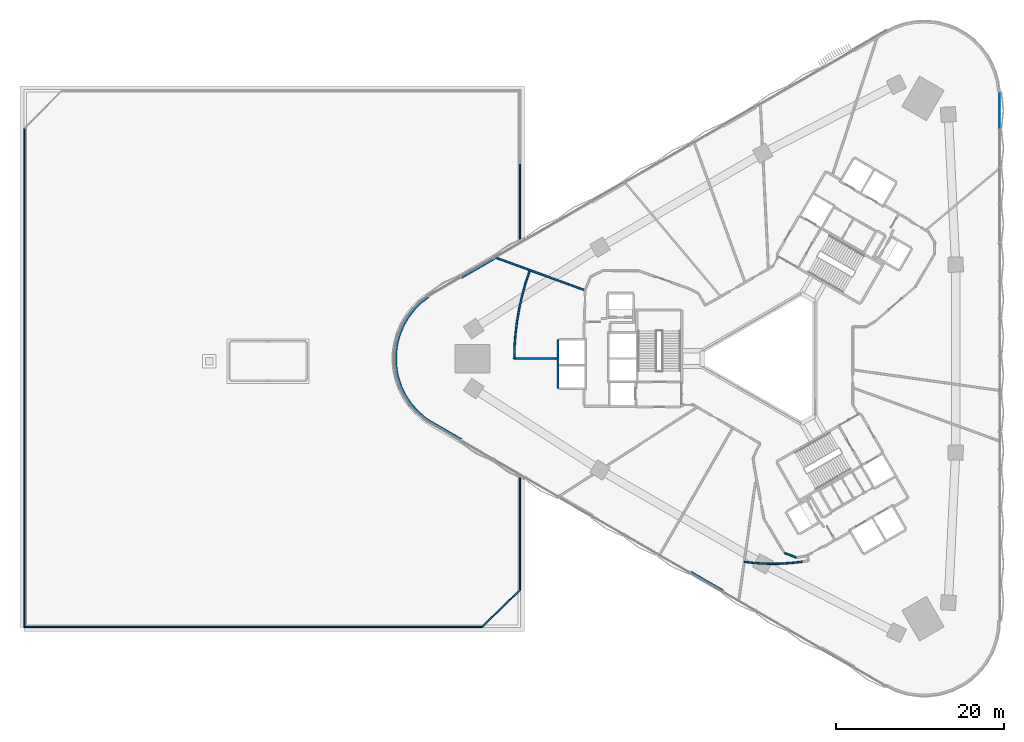
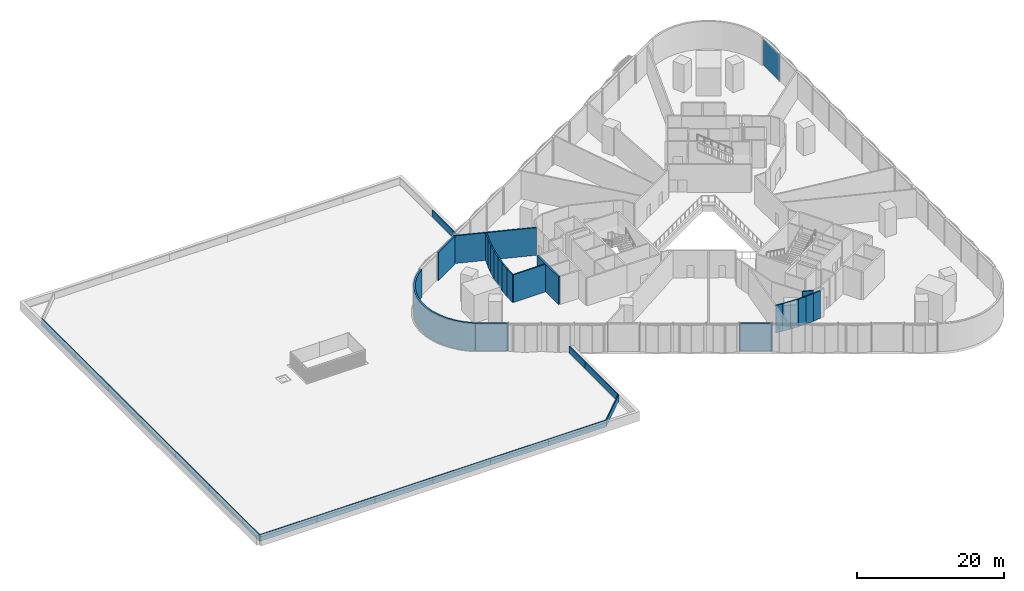
# One storey, part 6 of 14: 38 walls, 1 plate, 1 element without a shape of its own.
"""IFC4 building model written with IfcOpenShell, lengths in metres."""

import ifcopenshell
import ifcopenshell.guid

model = None  # the IFC model being written
_history = None  # IfcOwnerHistory: only IFC2X3 demands one
_inside = {}  # id of a spatial element -> (the spatial element, [elements in it])
_under = {}  # id of a project, library or spatial element -> (it, [spatial elements below it])
_declared = {}  # id of a project -> (the project, [libraries it declares])
_typed = {}  # id of a type object -> (the type object, [elements of that type])
_made_of = {}  # id of a material, layer set ... -> (it, [elements and type objects made of it])


def new_model(schema):
    """Start an empty IFC model of exactly this schema.

    Asked for "IFC4X3", IfcOpenShell would pick the latest addendum, in which some entities
    have other attributes; the version numbers below select the first issue.
    IFC2X3 requires an IfcOwnerHistory on every rooted entity: one is made here for all.
    """
    global model, _history
    if schema == "IFC4X3":
        model = ifcopenshell.file(schema_version=(4, 3, 0, 0))
    else:
        model = ifcopenshell.file(schema=schema)
    _inside.clear()
    _under.clear()
    _declared.clear()
    _typed.clear()
    _made_of.clear()
    _history = None
    if model.schema == "IFC2X3":
        org = make("IfcOrganization", Name="unknown")
        user = make(
            "IfcPersonAndOrganization",
            ThePerson=make("IfcPerson", FamilyName="unknown"),
            TheOrganization=org,
        )
        app = make(
            "IfcApplication",
            ApplicationDeveloper=org,
            Version="unknown",
            ApplicationFullName="unknown",
            ApplicationIdentifier="unknown",
        )
        _history = make(
            "IfcOwnerHistory",
            OwningUser=user,
            OwningApplication=app,
            ChangeAction="ADDED",
            CreationDate=0,
        )
    return model


def make(cls, **values):
    """One entity of the class cls with the attributes given. An attribute that is None is left unset."""
    return model.create_entity(
        cls, **{name: value for name, value in values.items() if value is not None}
    )


def rooted(cls, **values):
    """An entity with a GlobalId (a new one), such as an element, a storey or a relation."""
    return make(cls, GlobalId=ifcopenshell.guid.new(), OwnerHistory=_history, **values)


def si_unit(unit_type, name, prefix=None):
    """IfcSIUnit, for example si_unit("LENGTHUNIT", "METRE", prefix="MILLI")."""
    return make("IfcSIUnit", UnitType=unit_type, Prefix=prefix, Name=name)


def assignment(units):
    """IfcUnitAssignment: the units of a project."""
    return None if units is None else make("IfcUnitAssignment", Units=units)


def point(xyz):
    """IfcCartesianPoint."""
    return None if xyz is None else make("IfcCartesianPoint", Coordinates=xyz)


def direction(xyz):
    """IfcDirection."""
    return None if xyz is None else make("IfcDirection", DirectionRatios=xyz)


def frame(location, z_axis=None, x_axis=None):
    """IfcAxis2Placement3D, a coordinate frame: its origin and axes. An axis left out is left unset."""
    return make(
        "IfcAxis2Placement3D",
        Location=point(location),
        Axis=direction(z_axis),
        RefDirection=direction(x_axis),
    )


def frame_2d(location, x_axis=None):
    """IfcAxis2Placement2D, a coordinate frame in the plane: its origin and x axis."""
    return make(
        "IfcAxis2Placement2D", Location=point(location), RefDirection=direction(x_axis)
    )


def origin():
    """The frame at (0, 0, 0) with its axes left unset."""
    return frame((0.0, 0.0, 0.0))


def origin_2d():
    """The frame at (0, 0) in the plane with its x axis left unset."""
    return frame_2d((0.0, 0.0))


def place(relative_to, where):
    """IfcLocalPlacement: puts the frame where relative to a parent placement (None: the world)."""
    return make(
        "IfcLocalPlacement", PlacementRelTo=relative_to, RelativePlacement=where
    )


def context(
    kind, dimensions, precision=None, world=None, true_north=None, identifier=None
):
    """IfcGeometricRepresentationContext, for example the 3D "Model" context."""
    return make(
        "IfcGeometricRepresentationContext",
        ContextIdentifier=identifier,
        ContextType=kind,
        CoordinateSpaceDimension=dimensions,
        Precision=precision,
        WorldCoordinateSystem=world,
        TrueNorth=true_north,
    )


def subcontext(parent, identifier, kind, view, scale=None):
    """IfcGeometricRepresentationSubContext, for example "Body" below "Model"."""
    return make(
        "IfcGeometricRepresentationSubContext",
        ContextIdentifier=identifier,
        ContextType=kind,
        ParentContext=parent,
        TargetScale=scale,
        TargetView=view,
    )


def project(units=None, contexts=None):
    """IfcProject with its units and contexts."""
    return rooted(
        "IfcProject",
        Name="project",
        RepresentationContexts=contexts,
        UnitsInContext=assignment(units),
    )


def spatial(cls, under=None, at=None, **own):
    """A site, building, storey or space (cls), placed at a placement, below another one or the project."""
    s = rooted(cls, ObjectPlacement=at, **own)
    if under is not None:
        _under.setdefault(under.id(), (under, []))[1].append(s)
    return s


def polyline(points):
    """IfcPolyline through the points."""
    return make("IfcPolyline", Points=[point(p) for p in points])


def profile(cls, at=None, kind="AREA", **sizes):
    """A parametric profile (cls). Its sizes go by their IFC names, for example OverallWidth=200.0."""
    return make(cls, ProfileType=kind, Position=at, **sizes)


def rectangle(**sizes):
    """IfcRectangleProfileDef."""
    return profile("IfcRectangleProfileDef", **sizes)


def outline(outer, holes=None, kind="AREA"):
    """IfcArbitraryClosedProfileDef: a profile drawn as a closed curve; with holes, ...WithVoids."""
    if holes is None:
        return make("IfcArbitraryClosedProfileDef", ProfileType=kind, OuterCurve=outer)
    return make(
        "IfcArbitraryProfileDefWithVoids",
        ProfileType=kind,
        OuterCurve=outer,
        InnerCurves=holes,
    )


def extrude(swept, where, along, depth):
    """IfcExtrudedAreaSolid: the profile swept, set in the frame where, extruded along a direction by depth."""
    return make(
        "IfcExtrudedAreaSolid",
        SweptArea=swept,
        Position=where,
        ExtrudedDirection=direction(along),
        Depth=depth,
    )


def shape(context_of_items, identifier, shape_type, items):
    """IfcShapeRepresentation: the items that make up one representation, for example the "Body"."""
    return make(
        "IfcShapeRepresentation",
        ContextOfItems=context_of_items,
        RepresentationIdentifier=identifier,
        RepresentationType=shape_type,
        Items=items,
    )


def material(Name=None, Category=None):
    """IfcMaterial."""
    return make("IfcMaterial", Name=Name, Category=Category)


def layer(
    of_material, thickness, ventilated=None, Name=None, Category=None, Priority=None
):
    """IfcMaterialLayer: one layer of a wall or slab, of a material (None: an air gap)."""
    return make(
        "IfcMaterialLayer",
        Material=of_material,
        LayerThickness=thickness,
        IsVentilated=ventilated,
        Name=Name,
        Category=Category,
        Priority=Priority,
    )


def layer_set(layers, Name=None):
    """IfcMaterialLayerSet."""
    return make("IfcMaterialLayerSet", MaterialLayers=layers, LayerSetName=Name)


def made_of(thing, what):
    """Note that an element or type object is made of a material, layer set ...; save() writes the relation."""
    if what is not None:
        _made_of.setdefault(what.id(), (what, []))[1].append(thing)
    return thing


def type_object(cls, material=None, **own):
    """A type object (cls), such as IfcWallType, which elements share."""
    return made_of(rooted(cls, **own), material)


def element(
    cls,
    number,
    at=None,
    inside=None,
    cuts=None,
    type_object=None,
    material=None,
    context=None,
    identifier="Body",
    shape_type=None,
    held_by="IfcProductDefinitionShape",
    body=None,
    shapes=None,
    **own,
):
    """One element of the class cls, such as IfcWall. Its Tag is "e" and its number.

    at: its placement. inside: the storey or other place that contains it. cuts: it is an
    opening in that element (IfcRelVoidsElement). A single representation is given by context,
    identifier, shape_type and body (its items); several are given by shapes. held_by: the class
    of the entity that holds the representations. save() writes the other relations.
    """
    e = rooted(cls, Tag="e%d" % number, ObjectPlacement=at, **own)
    if body is not None:
        shapes = [shape(context, identifier, shape_type, body)]
    if shapes is not None:
        e.Representation = make(held_by, Representations=shapes)
    if inside is not None:
        _inside.setdefault(inside.id(), (inside, []))[1].append(e)
    if cuts is not None:
        rooted(
            "IfcRelVoidsElement", RelatingBuildingElement=cuts, RelatedOpeningElement=e
        )
    if type_object is not None:
        _typed.setdefault(type_object.id(), (type_object, []))[1].append(e)
    return made_of(e, material)


def aggregate(whole, parts):
    """IfcRelAggregates: a whole, such as a stair, and the parts it consists of."""
    return rooted("IfcRelAggregates", RelatingObject=whole, RelatedObjects=parts)


def save(model, path):
    """Write the relations noted so far, then the file.

    IfcRelAggregates (storeys below a building ...), IfcRelContainedInSpatialStructure (elements
    in a storey), IfcRelDefinesByType, IfcRelAssociatesMaterial and IfcRelDeclares: one each for
    every whole, place, type object, material and project.
    """
    for whole, parts in _under.values():
        aggregate(whole, parts)
    for where, things in _inside.values():
        rooted(
            "IfcRelContainedInSpatialStructure",
            RelatedElements=things,
            RelatingStructure=where,
        )
    for kind, things in _typed.values():
        rooted("IfcRelDefinesByType", RelatedObjects=things, RelatingType=kind)
    for what, things in _made_of.values():
        rooted("IfcRelAssociatesMaterial", RelatedObjects=things, RelatingMaterial=what)
    for by, libraries in _declared.values():
        rooted("IfcRelDeclares", RelatingContext=by, RelatedDefinitions=libraries)
    model.write(path)


model = new_model("IFC4")

# Units and contexts
model_context = context("Model", 3, precision=1e-05, world=origin(), true_north=direction((0.0, 1.0)))
body_context = subcontext(model_context, "Body", "Model", "MODEL_VIEW")
ifc_project = project(units=[si_unit("LENGTHUNIT", "METRE"), si_unit("AREAUNIT", "SQUARE_METRE"), si_unit("VOLUMEUNIT", "CUBIC_METRE"), si_unit("PLANEANGLEUNIT", "RADIAN"), si_unit("MASSUNIT", "GRAM", prefix="KILO")], contexts=[model_context])

# Site, building, storey
site_placement = place(None, origin())
site = spatial("IfcSite", under=ifc_project, at=site_placement, CompositionType="ELEMENT")
building_placement = place(site_placement, origin())
building = spatial("IfcBuilding", under=site, at=building_placement, Name="Tamra Quay Hotel Tower", CompositionType="ELEMENT")
storey_placement = place(building_placement, frame((0.0, 0.0, 24.5)))
storey = spatial("IfcBuildingStorey", under=building, at=storey_placement, Name="L04", CompositionType="ELEMENT", Elevation=24.5)

# Curtain wall, plate
ifc_material_1 = material(Name="Aluminium 6063 anodised dark grey", Category="aluminium")
curtain_wall_type = type_object("IfcCurtainWallType", Name="CW4 CURTAIN WALL", PredefinedType="NOTDEFINED", material=ifc_material_1)
curtain_wall_placement = place(storey_placement, origin())
curtain_wall = element("IfcCurtainWall", 1, at=curtain_wall_placement, inside=storey, type_object=curtain_wall_type, Name="CW4 east face L04", PredefinedType="NOTDEFINED")
ifc_material_2 = material(Name="Glass clear laminated low-iron", Category="glass")
ifc_layer_1 = layer(ifc_material_2, 0.0400390625)
ifc_layer_set_1 = layer_set([ifc_layer_1], Name="GLASS PANEL CW4")
plate_type = type_object("IfcPlateType", Name="GLASS PANEL CW4", PredefinedType="CURTAIN_PANEL", material=ifc_layer_set_1)
plate_placement = place(storey_placement, frame((26.9814453125, 29.517578125, 0.0), z_axis=(0.0, 0.0, 1.0), x_axis=(-0.000306147728, 0.999999953137, 0.0)))
plate = element("IfcPlate", 2, at=plate_placement, type_object=plate_type, Name="CW4 glass L04.E.14", PredefinedType="CURTAIN_PANEL", context=body_context, shape_type="SweptSolid", body=[
    extrude(rectangle(XDim=4.3759765625, YDim=0.0400390625, at=origin_2d()), origin(), (0.0, 0.0, 1.0), 4.419921875),
])
aggregate(curtain_wall, [plate])

# Walls
ifc_material_3 = material(Name="Concrete M70", Category="concrete")
ifc_layer_2 = layer(ifc_material_3, 0.25)
ifc_layer_set_2 = layer_set([ifc_layer_2], Name="Concrete M70 core wall 250")
wall_type_1 = type_object("IfcWallType", Name="Concrete M70 core wall 250", PredefinedType="SHEAR", material=ifc_layer_set_2)
wall_1_placement = place(storey_placement, frame((-25.537353515625, -3.574951171875, 0.0), z_axis=(0.0, 0.0, 1.0), x_axis=(0.0, 1.0, 0.0)))
element("IfcWall", 3, at=wall_1_placement, inside=storey, type_object=wall_type_1, Name="CW1", PredefinedType="SHEAR", context=body_context, shape_type="SweptSolid", body=[
    extrude(rectangle(XDim=5.849853515625, YDim=0.25, at=frame_2d((2.9248046875, 0.0))), origin(), (0.0, 0.0, 1.0), 4.60009765625),
])
ifc_material_4 = material(Name="Blockwork masonry plastered", Category="masonry")
ifc_layer_3 = layer(ifc_material_4, 0.25)
ifc_layer_set_3 = layer_set([ifc_layer_3], Name="EXTERNAL WALL 250")
wall_type_2 = type_object("IfcWallType", Name="EXTERNAL WALL 250", PredefinedType="SOLIDWALL", material=ifc_layer_set_3)
wall_2_placement = place(storey_placement, frame((-37.044677734375, 9.6240234375, 0.0), z_axis=(0.0, 0.0, 1.0), x_axis=(0.865857232313, 0.500291168473, 0.0)))
element("IfcWall", 4, at=wall_2_placement, inside=storey, type_object=wall_type_2, Name="EW1", PredefinedType="SOLIDWALL", context=body_context, shape_type="SweptSolid", body=[
    extrude(rectangle(XDim=4.495849609375, YDim=0.25, at=frame_2d((2.248046875, 0.0))), origin(), (0.0, 0.0, 1.0), 4.60009765625),
])
wall_3_placement = place(storey_placement, origin())
element("IfcWall", 5, at=wall_3_placement, inside=storey, type_object=wall_type_2, Name="EW1", PredefinedType="SOLIDWALL", context=body_context, shape_type="SweptSolid", body=[
    extrude(outline(polyline([(-41.000244140625, 7.483154296875), (-41.93408203125, 6.7666015625), (-42.7666015625, 5.93408203125), (-43.483154296875, 5.000244140625), (-44.07177734375, 3.980712890625), (-44.5224609375, 2.89306640625), (-44.8271484375, 1.755859375), (-44.980712890625, 0.588623046875), (-44.980712890625, -0.588623046875), (-44.8271484375, -1.755859375), (-44.693359375, -2.329345703125), (-44.31494140625, -3.444091796875), (-43.794189453125, -4.5), (-43.14013671875, -5.478759765625), (-42.364013671875, -6.364013671875), (-41.478759765625, -7.14013671875), (-41.000244140625, -7.483154296875), (-40.8544921875, -7.280029296875), (-41.3232421875, -6.944091796875), (-42.186767578125, -6.186767578125), (-42.94140625, -5.326416015625), (-43.5771484375, -4.374755859375), (-44.08349609375, -3.348388671875), (-44.45263671875, -2.2607421875), (-44.580810546875, -1.7109375), (-44.730712890625, -0.572265625), (-44.730712890625, 0.572265625), (-44.581298828125, 1.70703125), (-44.28515625, 2.8125), (-43.84716796875, 3.869873046875), (-43.27490234375, 4.86083984375), (-42.578125, 5.76904296875), (-41.76904296875, 6.578125), (-40.847900390625, 7.284912109375), (-41.000244140625, 7.483154296875)])), origin(), (0.0, 0.0, 1.0), 4.60009765625),
])
for number, where, z_axis, x_axis, name in (
    (6, (-37.044677734375, -9.6240234375, 0.0), (0.0, 0.0, 1.0), (-0.865880754896, 0.500250455572, 0.0), "EW1"),
    (7, (-5.90185546875, -27.6171875, 0.0), (0.0, 0.0, 1.0), (-0.865880754896, 0.500250455572, 0.0), "EW1"),
):
    element("IfcWall", number, at=place(storey_placement, frame(where, z_axis=z_axis, x_axis=x_axis)), inside=storey, type_object=wall_type_2, Name=name, PredefinedType="SOLIDWALL", context=body_context, shape_type="SweptSolid", body=[
        extrude(rectangle(XDim=4.495849609375, YDim=0.25, at=frame_2d((2.248046875, 0.0))), origin(), (0.0, 0.0, 1.0), 4.60009765625),
    ])
ifc_material_5 = material(Name="Reinforced concrete M60 with render", Category="concrete")
ifc_layer_4 = layer(ifc_material_5, 0.14990234375)
ifc_layer_set_4 = layer_set([ifc_layer_4], Name="PARAPET WALL 150")
wall_type_3 = type_object("IfcWallType", Name="PARAPET WALL 150", PredefinedType="PARAPET", material=ifc_layer_set_4)
wall_4_placement = place(storey_placement, frame((-80.0078125, -31.925048828125, 0.0), z_axis=(0.0, 0.0, 1.0), x_axis=(-1.0, 0.0, 0.0)))
element("IfcWall", 8, at=wall_4_placement, inside=storey, type_object=wall_type_3, Name="PW0", PredefinedType="PARAPET", context=body_context, shape_type="SweptSolid", body=[
    extrude(rectangle(XDim=9.09228515625, YDim=0.14990234375, at=frame_2d((4.546142578125, 0.0))), origin(), (0.0, 0.0, 1.0), 1.10009765625),
])
wall_5_placement = place(storey_placement, frame((-70.915283203125, -31.925048828125, 0.0), z_axis=(0.0, 0.0, 1.0), x_axis=(-1.0, 0.0, 0.0)))
element("IfcWall", 9, at=wall_5_placement, inside=storey, type_object=wall_type_3, Name="PW0", PredefinedType="PARAPET", context=body_context, shape_type="SweptSolid", body=[
    extrude(rectangle(XDim=9.092529296875, YDim=0.14990234375, at=frame_2d((4.54638671875, 0.0))), origin(), (0.0, 0.0, 1.0), 1.10009765625),
])
for number, where, z_axis, x_axis, name in (
    (10, (-61.822998046875, -31.925048828125, 0.0), (0.0, 0.0, 1.0), (-1.0, 0.0, 0.0), "PW0"),
    (11, (-52.730712890625, -31.925048828125, 0.0), (0.0, 0.0, 1.0), (-1.0, 0.0, 0.0), "PW0"),
    (12, (-43.638427734375, -31.925048828125, 0.0), (0.0, 0.0, 1.0), (-1.0, 0.0, 0.0), "PW0"),
    (13, (-34.546142578125, -31.925048828125, 0.0), (0.0, 0.0, 1.0), (-1.0, 0.0, 0.0), "PW0"),
):
    element("IfcWall", number, at=place(storey_placement, frame(where, z_axis=z_axis, x_axis=x_axis)), inside=storey, type_object=wall_type_3, Name=name, PredefinedType="PARAPET", context=body_context, shape_type="SweptSolid", body=[
        extrude(rectangle(XDim=9.09228515625, YDim=0.14990234375, at=frame_2d((4.546142578125, 0.0))), origin(), (0.0, 0.0, 1.0), 1.10009765625),
    ])
wall_6_placement = place(storey_placement, frame((-30.052490234375, -27.4970703125, 0.0), z_axis=(0.0, 0.0, 1.0), x_axis=(-0.714684277773, -0.699447198224, 0.0)))
element("IfcWall", 14, at=wall_6_placement, inside=storey, type_object=wall_type_3, Name="PW0", PredefinedType="PARAPET", context=body_context, shape_type="SweptSolid", body=[
    extrude(rectangle(XDim=6.361083984375, YDim=0.14990234375, at=frame_2d((3.1806640625, 0.0))), origin(), (0.0, 0.0, 1.0), 1.10009765625),
])
wall_7_placement = place(storey_placement, frame((-30.074951171875, -18.652099609375, 0.0), z_axis=(0.0, 0.0, 1.0), x_axis=(0.0, -1.0, 0.0)))
element("IfcWall", 15, at=wall_7_placement, inside=storey, type_object=wall_type_3, Name="PW0", PredefinedType="PARAPET", context=body_context, shape_type="SweptSolid", body=[
    extrude(rectangle(XDim=8.898681640625, YDim=0.14990234375, at=frame_2d((4.44921875, 0.0))), origin(), (0.0, 0.0, 1.0), 1.10009765625),
])
wall_8_placement = place(storey_placement, frame((-30.074951171875, -14.202880859375, 0.0), z_axis=(0.0, 0.0, 1.0), x_axis=(0.0, -1.0, 0.0)))
element("IfcWall", 16, at=wall_8_placement, inside=storey, type_object=wall_type_3, Name="PW0", PredefinedType="PARAPET", context=body_context, shape_type="SweptSolid", body=[
    extrude(rectangle(XDim=4.44921875, YDim=0.14990234375, at=frame_2d((2.224609375, 0.0))), origin(), (0.0, 0.0, 1.0), 1.10009765625),
])
wall_9_placement = place(storey_placement, frame((-30.074951171875, 23.101318359375, 0.0), z_axis=(0.0, 0.0, 1.0), x_axis=(0.0, -1.0, 0.0)))
element("IfcWall", 17, at=wall_9_placement, inside=storey, type_object=wall_type_3, Name="PW0", PredefinedType="PARAPET", context=body_context, shape_type="SweptSolid", body=[
    extrude(rectangle(XDim=8.8984375, YDim=0.14990234375, at=frame_2d((4.44921875, 0.0))), origin(), (0.0, 0.0, 1.0), 1.10009765625),
])
for number, where, z_axis, x_axis, name in (
    (18, (-89.02490234375, 18.28564453125, 0.0), (0.0, 0.0, 1.0), (0.0, 1.0, 0.0), "PW0"),
    (19, (-89.02490234375, 9.142822265625, 0.0), (0.0, 0.0, 1.0), (0.0, 1.0, 0.0), "PW0"),
    (20, (-89.02490234375, 0.0, 0.0), (0.0, 0.0, 1.0), (0.0, 1.0, 0.0), "PW0"),
    (21, (-89.02490234375, -9.142822265625, 0.0), (0.0, 0.0, 1.0), (0.0, 1.0, 0.0), "PW0"),
    (22, (-89.02490234375, -18.28564453125, 0.0), (0.0, 0.0, 1.0), (0.0, 1.0, 0.0), "PW0"),
    (23, (-89.02490234375, -27.428466796875, 0.0), (0.0, 0.0, 1.0), (0.0, 1.0, 0.0), "PW0"),
):
    element("IfcWall", number, at=place(storey_placement, frame(where, z_axis=z_axis, x_axis=x_axis)), inside=storey, type_object=wall_type_3, Name=name, PredefinedType="PARAPET", context=body_context, shape_type="SweptSolid", body=[
        extrude(rectangle(XDim=9.142822265625, YDim=0.14990234375, at=frame_2d((4.5712890625, 0.0))), origin(), (0.0, 0.0, 1.0), 1.10009765625),
    ])
wall_10_placement = place(storey_placement, frame((-89.02490234375, -32.0, 0.0), z_axis=(0.0, 0.0, 1.0), x_axis=(0.0, 1.0, 0.0)))
element("IfcWall", 24, at=wall_10_placement, inside=storey, type_object=wall_type_3, Name="PW0", PredefinedType="PARAPET", context=body_context, shape_type="SweptSolid", body=[
    extrude(rectangle(XDim=4.571533203125, YDim=0.14990234375, at=frame_2d((2.28564453125, 0.0))), origin(), (0.0, 0.0, 1.0), 1.10009765625),
])
ifc_material_6 = material(Name="Partition corridor wall")
ifc_layer_5 = layer(ifc_material_6, 0.199951171875)
ifc_layer_set_5 = layer_set([ifc_layer_5], Name="Partition corridor wall")
wall_type_4 = type_object("IfcWallType", Name="Partition corridor wall", PredefinedType="PARTITIONING", material=ifc_layer_set_5)
wall_11_placement = place(storey_placement, frame((1.388916015625, -23.131103515625, 0.0), z_axis=(0.0, 0.0, 1.0), x_axis=(0.935814533732, -0.352492777879, 0.0)))
element("IfcWall", 25, at=wall_11_placement, inside=storey, type_object=wall_type_4, Name="W-C", PredefinedType="PARTITIONING", context=body_context, shape_type="SweptSolid", body=[
    extrude(rectangle(XDim=1.543212890625, YDim=0.199951171875, at=frame_2d((0.771484375, 0.0))), origin(), (0.0, 0.0, 1.0), 4.60009765625),
])
ifc_material_7 = material(Name="Partition party wall")
ifc_layer_6 = layer(ifc_material_7, 0.199951171875)
ifc_layer_set_6 = layer_set([ifc_layer_6], Name="Partition party wall")
wall_type_5 = type_object("IfcWallType", Name="Partition party wall", PredefinedType="PARTITIONING", material=ifc_layer_set_6)
wall_12_placement = place(storey_placement, frame((-33.115478515625, 12.05322265625, 0.0), z_axis=(0.0, 0.0, 1.0), x_axis=(0.939687761804, -0.342033492974, 0.0)))
element("IfcWall", 26, at=wall_12_placement, inside=storey, type_object=wall_type_5, Name="W-P", PredefinedType="PARTITIONING", context=body_context, shape_type="SweptSolid", body=[
    extrude(rectangle(XDim=11.473388671875, YDim=0.199951171875, at=frame_2d((5.73681640625, 0.0))), origin(), (0.0, 0.0, 1.0), 4.60009765625),
])
wall_13_placement = place(storey_placement, frame((-30.75, 0.0, 0.0), z_axis=(0.0, 0.0, 1.0), x_axis=(0.024584057675, 0.999697766382, 0.0)))
element("IfcWall", 27, at=wall_13_placement, inside=storey, type_object=wall_type_5, Name="W-P", PredefinedType="PARTITIONING", context=body_context, shape_type="SweptSolid", body=[
    extrude(rectangle(XDim=1.509521484375, YDim=0.199951171875, at=frame_2d((0.7548828125, 0.0))), origin(), (0.0, 0.0, 1.0), 4.60009765625),
])
wall_14_placement = place(storey_placement, frame((-30.75, 0.0, 0.0), z_axis=(0.0, 0.0, 1.0), x_axis=(1.0, 0.0, 0.0)))
element("IfcWall", 28, at=wall_14_placement, inside=storey, type_object=wall_type_5, Name="W-P", PredefinedType="PARTITIONING", context=body_context, shape_type="SweptSolid", body=[
    extrude(rectangle(XDim=5.02783203125, YDim=0.199951171875, at=frame_2d((2.513916015625, 0.0))), origin(), (0.0, 0.0, 1.0), 4.60009765625),
])
wall_15_placement = place(storey_placement, frame((-30.712890625, 1.509033203125, 0.0), z_axis=(0.0, 0.0, 1.0), x_axis=(0.073454502015, 0.997298569203, 0.0)))
element("IfcWall", 29, at=wall_15_placement, inside=storey, type_object=wall_type_5, Name="W-P", PredefinedType="PARTITIONING", context=body_context, shape_type="SweptSolid", body=[
    extrude(rectangle(XDim=1.509033203125, YDim=0.199951171875, at=frame_2d((0.75439453125, 0.0))), origin(), (0.0, 0.0, 1.0), 4.60009765625),
])
for number, where, z_axis, x_axis, name in (
    (30, (-30.60205078125, 3.013916015625, 0.0), (0.0, 0.0, 1.0), (0.121963988379, 0.992534526119, 0.0), "W-P"),
    (31, (-30.41796875, 4.511962890625, 0.0), (0.0, 0.0, 1.0), (0.170979357088, 0.985274611187, 0.0), "W-P"),
):
    element("IfcWall", number, at=place(storey_placement, frame(where, z_axis=z_axis, x_axis=x_axis)), inside=storey, type_object=wall_type_5, Name=name, PredefinedType="PARTITIONING", context=body_context, shape_type="SweptSolid", body=[
        extrude(rectangle(XDim=1.50927734375, YDim=0.199951171875, at=frame_2d((0.754638671875, 0.0))), origin(), (0.0, 0.0, 1.0), 4.60009765625),
    ])
wall_16_placement = place(storey_placement, frame((-30.159912109375, 5.9990234375, 0.0), z_axis=(0.0, 0.0, 1.0), x_axis=(0.219138890927, 0.975693674512, 0.0)))
element("IfcWall", 32, at=wall_16_placement, inside=storey, type_object=wall_type_5, Name="W-P", PredefinedType="PARTITIONING", context=body_context, shape_type="SweptSolid", body=[
    extrude(rectangle(XDim=1.509521484375, YDim=0.199951171875, at=frame_2d((0.7548828125, 0.0))), origin(), (0.0, 0.0, 1.0), 4.60009765625),
])
wall_17_placement = place(storey_placement, frame((-29.8291015625, 7.471923828125, 0.0), z_axis=(0.0, 0.0, 1.0), x_axis=(0.267126446458, 0.963661487039, 0.0)))
element("IfcWall", 33, at=wall_17_placement, inside=storey, type_object=wall_type_5, Name="W-P", PredefinedType="PARTITIONING", context=body_context, shape_type="SweptSolid", body=[
    extrude(rectangle(XDim=1.509033203125, YDim=0.199951171875, at=frame_2d((0.75439453125, 0.0))), origin(), (0.0, 0.0, 1.0), 4.60009765625),
])
wall_18_placement = place(storey_placement, frame((-29.426025390625, 8.926025390625, 0.0), z_axis=(0.0, 0.0, 1.0), x_axis=(0.313316220485, 0.949648854041, 0.0)))
element("IfcWall", 34, at=wall_18_placement, inside=storey, type_object=wall_type_5, Name="W-P", PredefinedType="PARTITIONING", context=body_context, shape_type="SweptSolid", body=[
    extrude(rectangle(XDim=1.510009765625, YDim=0.199951171875, at=frame_2d((0.7548828125, 0.0))), origin(), (0.0, 0.0, 1.0), 4.60009765625),
])
wall_19_placement = place(storey_placement, frame((-3.39501953125, -24.173095703125, 0.0), z_axis=(0.0, 0.0, 1.0), x_axis=(0.992572686874, -0.121653036427, 0.0)))
element("IfcWall", 35, at=wall_19_placement, inside=storey, type_object=wall_type_5, Name="W-P", PredefinedType="PARTITIONING", context=body_context, shape_type="SweptSolid", body=[
    extrude(rectangle(XDim=1.009521484375, YDim=0.199951171875, at=frame_2d((0.5048828125, 0.0))), origin(), (0.0, 0.0, 1.0), 4.60009765625),
])
wall_20_placement = place(storey_placement, frame((-2.39306640625, -24.2958984375, 0.0), z_axis=(0.0, 0.0, 1.0), x_axis=(0.997291605881, -0.073548982579, 0.0)))
element("IfcWall", 36, at=wall_20_placement, inside=storey, type_object=wall_type_5, Name="W-P", PredefinedType="PARTITIONING", context=body_context, shape_type="SweptSolid", body=[
    extrude(rectangle(XDim=1.1982421875, YDim=0.199951171875, at=frame_2d((0.59912109375, 0.0))), origin(), (0.0, 0.0, 1.0), 4.60009765625),
])
for number, where, z_axis, x_axis, name in (
    (37, (-1.197998046875, -24.384033203125, 0.0), (0.0, 0.0, 1.0), (0.999685989974, -0.025058360865, 0.0), "W-P"),
    (38, (0.0, -24.4140625, 0.0), (0.0, 0.0, 1.0), (0.999685989974, 0.025058360865, 0.0), "W-P"),
):
    element("IfcWall", number, at=place(storey_placement, frame(where, z_axis=z_axis, x_axis=x_axis)), inside=storey, type_object=wall_type_5, Name=name, PredefinedType="PARTITIONING", context=body_context, shape_type="SweptSolid", body=[
        extrude(rectangle(XDim=1.198486328125, YDim=0.199951171875, at=frame_2d((0.59912109375, 0.0))), origin(), (0.0, 0.0, 1.0), 4.60009765625),
    ])
wall_21_placement = place(storey_placement, frame((1.197998046875, -24.384033203125, 0.0), z_axis=(0.0, 0.0, 1.0), x_axis=(0.997291605881, 0.073548982579, 0.0)))
element("IfcWall", 39, at=wall_21_placement, inside=storey, type_object=wall_type_5, Name="W-P", PredefinedType="PARTITIONING", context=body_context, shape_type="SweptSolid", body=[
    extrude(rectangle(XDim=1.1982421875, YDim=0.199951171875, at=frame_2d((0.59912109375, 0.0))), origin(), (0.0, 0.0, 1.0), 4.60009765625),
])
wall_22_placement = place(storey_placement, frame((2.39306640625, -24.2958984375, 0.0), z_axis=(0.0, 0.0, 1.0), x_axis=(0.992545185506, 0.12187721169, 0.0)))
element("IfcWall", 40, at=wall_22_placement, inside=storey, type_object=wall_type_5, Name="W-P", PredefinedType="PARTITIONING", context=body_context, shape_type="SweptSolid", body=[
    extrude(rectangle(XDim=1.197998046875, YDim=0.199951171875, at=frame_2d((0.59912109375, 0.0))), origin(), (0.0, 0.0, 1.0), 4.60009765625),
])

save(model, "model.ifc")
